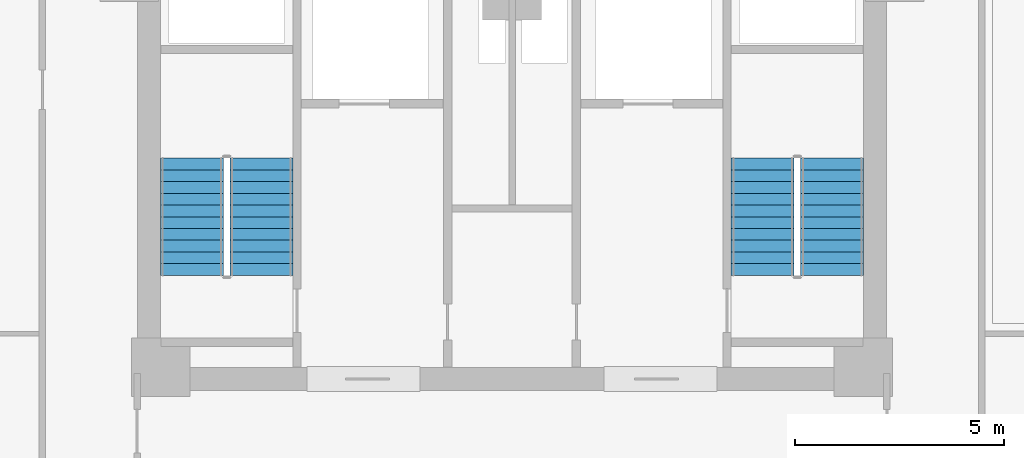
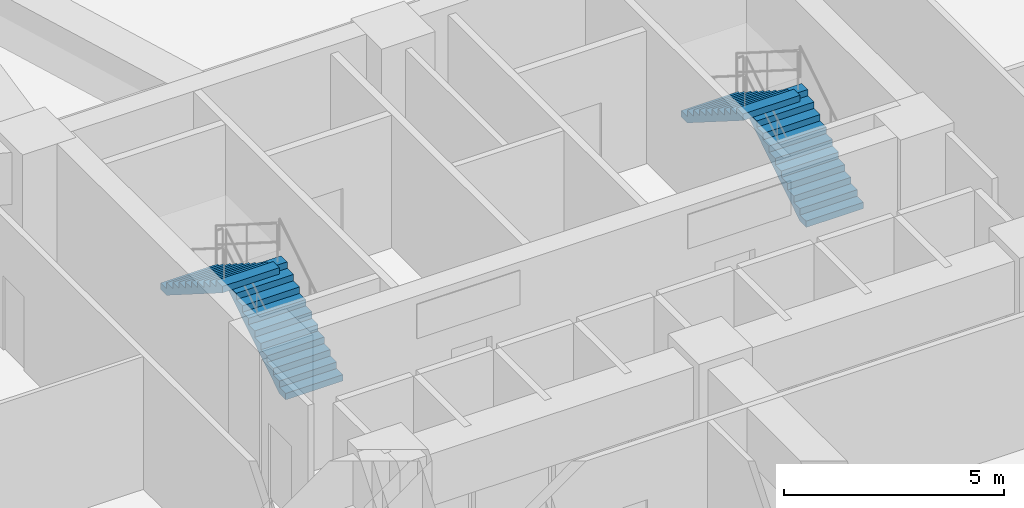
# One storey, part 17 of 20: 4 stair flights, 2 elements without a shape of their own.
"""IFC4 building model written with IfcOpenShell, lengths in metres."""

from ifc_helpers import new_model, si_unit, derived_unit, direction, frame, origin, place, context, subcontext, project, spatial, polyline, outline, extrude, material, type_object, element, aggregate, save


model = new_model("IFC4")

# Units and contexts
model_context = context("Model", 3, precision=1e-05, world=origin(), true_north=direction((0.0, 1.0)))
body_context = subcontext(model_context, "Body", "Model", "MODEL_VIEW")
ifc_project = project(units=[si_unit("LENGTHUNIT", "METRE"), si_unit("AREAUNIT", "SQUARE_METRE"), si_unit("VOLUMEUNIT", "CUBIC_METRE"), si_unit("PLANEANGLEUNIT", "RADIAN"), si_unit("MASSUNIT", "GRAM", prefix="KILO"), derived_unit("THERMALTRANSMITTANCEUNIT", [(si_unit("POWERUNIT", "WATT"), 1), (si_unit("LENGTHUNIT", "METRE"), -2), (si_unit("THERMODYNAMICTEMPERATUREUNIT", "KELVIN"), -1)])], contexts=[model_context])

# Site, building, storey
site_placement = place(None, origin())
site = spatial("IfcSite", under=ifc_project, at=site_placement, CompositionType="ELEMENT")
building_placement = place(site_placement, origin())
building = spatial("IfcBuilding", under=site, at=building_placement, Name="Korsvarv Bourse and Concert Hall", CompositionType="ELEMENT")
storey_placement = place(building_placement, frame((0.0, 0.0, 43.5)))
storey = spatial("IfcBuildingStorey", under=building, at=storey_placement, Name="L10", CompositionType="ELEMENT", Elevation=43.5)

# Stair, stair flights
ifc_material = material(Name="Precast concrete C45/55", Category="concrete")
stair_type = type_object("IfcStairType", Name="STR-TYPE-03", PredefinedType="HALF_TURN_STAIR", material=ifc_material)
stair_1_placement = place(storey_placement, origin())
stair_1 = element("IfcStair", 1, at=stair_1_placement, inside=storey, type_object=stair_type, Name="L10 Tower West Exit Stair ST-T1", PredefinedType="HALF_TURN_STAIR")
stair_flight_type = type_object("IfcStairFlightType", Name="FLT-TYPE-03", PredefinedType="STRAIGHT", material=ifc_material)
stair_flight_1_placement = place(storey_placement, frame((30.010009765625, 40.0, 0.0), z_axis=(0.0, 0.0, 1.0), x_axis=(0.0, 1.0, 0.0)))
stair_flight_1 = element("IfcStairFlight", 2, at=stair_flight_1_placement, type_object=stair_flight_type, Name="ST-T1 flight 1", NumberOfRisers=11, NumberOfTreads=10, PredefinedType="STRAIGHT", RiserHeight=0.177272727, TreadLength=0.28, context=body_context, shape_type="SweptSolid", body=[
    extrude(outline(polyline([(0.0, 0.0), (0.0, 0.17724609375), (0.280029296875, 0.17724609375), (0.280029296875, 0.3544921875), (0.56005859375, 0.3544921875), (0.56005859375, 0.53173828125), (0.840087890625, 0.53173828125), (0.840087890625, 0.708984375), (1.1201171875, 0.708984375), (1.1201171875, 0.886474609375), (1.39990234375, 0.886474609375), (1.39990234375, 1.063720703125), (1.679931640625, 1.063720703125), (1.679931640625, 1.240966796875), (1.9599609375, 1.240966796875), (1.9599609375, 1.418212890625), (2.239990234375, 1.418212890625), (2.239990234375, 1.595458984375), (2.52001953125, 1.595458984375), (2.52001953125, 1.772705078125), (2.800048828125, 1.772705078125), (2.800048828125, 1.949951171875), (2.800048828125, 1.59521484375), (0.2802734375, 0.0), (0.0, 0.0)])), frame((0.0, 0.75, 0.0), z_axis=(0.0, -1.0, 0.0), x_axis=(1.0, 0.0, 0.0)), (0.0, 0.0, 1.0), 1.5),
])
stair_flight_2_placement = place(storey_placement, frame((28.35009765625, 42.800048828125, 1.949951171875), z_axis=(0.0, 0.0, 1.0), x_axis=(0.0, -1.0, 0.0)))
stair_flight_2 = element("IfcStairFlight", 3, at=stair_flight_2_placement, type_object=stair_flight_type, Name="ST-T1 flight 2", NumberOfRisers=11, NumberOfTreads=10, PredefinedType="STRAIGHT", RiserHeight=0.177272727, TreadLength=0.28, context=body_context, shape_type="SweptSolid", body=[
    extrude(outline(polyline([(0.0, 0.0), (0.0, 0.17724609375), (0.280029296875, 0.17724609375), (0.280029296875, 0.3544921875), (0.56005859375, 0.3544921875), (0.56005859375, 0.53173828125), (0.840087890625, 0.53173828125), (0.840087890625, 0.708984375), (1.1201171875, 0.708984375), (1.1201171875, 0.886474609375), (1.39990234375, 0.886474609375), (1.39990234375, 1.063720703125), (1.679931640625, 1.063720703125), (1.679931640625, 1.240966796875), (1.9599609375, 1.240966796875), (1.9599609375, 1.418212890625), (2.239990234375, 1.418212890625), (2.239990234375, 1.595458984375), (2.52001953125, 1.595458984375), (2.52001953125, 1.772705078125), (2.800048828125, 1.772705078125), (2.800048828125, 1.949951171875), (2.800048828125, 1.59521484375), (0.2802734375, 0.0), (0.0, 0.0)])), frame((0.0, 0.75, 0.0), z_axis=(0.0, -1.0, 0.0), x_axis=(1.0, 0.0, 0.0)), (0.0, 0.0, 1.0), 1.5),
])
aggregate(stair_1, [stair_flight_1, stair_flight_2])

stair_2_placement = place(storey_placement, origin())
stair_2 = element("IfcStair", 4, at=stair_2_placement, inside=storey, type_object=stair_type, Name="L10 Tower East Exit Stair ST-T2", PredefinedType="HALF_TURN_STAIR")
stair_flight_3_placement = place(storey_placement, frame((43.64990234375, 40.0, 0.0), z_axis=(0.0, 0.0, 1.0), x_axis=(0.0, 1.0, 0.0)))
stair_flight_3 = element("IfcStairFlight", 5, at=stair_flight_3_placement, type_object=stair_flight_type, Name="ST-T2 flight 1", NumberOfRisers=11, NumberOfTreads=10, PredefinedType="STRAIGHT", RiserHeight=0.177272727, TreadLength=0.28, context=body_context, shape_type="SweptSolid", body=[
    extrude(outline(polyline([(0.0, 0.0), (0.0, 0.17724609375), (0.280029296875, 0.17724609375), (0.280029296875, 0.3544921875), (0.56005859375, 0.3544921875), (0.56005859375, 0.53173828125), (0.840087890625, 0.53173828125), (0.840087890625, 0.708984375), (1.1201171875, 0.708984375), (1.1201171875, 0.886474609375), (1.39990234375, 0.886474609375), (1.39990234375, 1.063720703125), (1.679931640625, 1.063720703125), (1.679931640625, 1.240966796875), (1.9599609375, 1.240966796875), (1.9599609375, 1.418212890625), (2.239990234375, 1.418212890625), (2.239990234375, 1.595458984375), (2.52001953125, 1.595458984375), (2.52001953125, 1.772705078125), (2.800048828125, 1.772705078125), (2.800048828125, 1.949951171875), (2.800048828125, 1.59521484375), (0.2802734375, 0.0), (0.0, 0.0)])), frame((0.0, 0.75, 0.0), z_axis=(0.0, -1.0, 0.0), x_axis=(1.0, 0.0, 0.0)), (0.0, 0.0, 1.0), 1.5),
])
stair_flight_4_placement = place(storey_placement, frame((41.989990234375, 42.800048828125, 1.949951171875), z_axis=(0.0, 0.0, 1.0), x_axis=(0.0, -1.0, 0.0)))
stair_flight_4 = element("IfcStairFlight", 6, at=stair_flight_4_placement, type_object=stair_flight_type, Name="ST-T2 flight 2", NumberOfRisers=11, NumberOfTreads=10, PredefinedType="STRAIGHT", RiserHeight=0.177272727, TreadLength=0.28, context=body_context, shape_type="SweptSolid", body=[
    extrude(outline(polyline([(0.0, 0.0), (0.0, 0.17724609375), (0.280029296875, 0.17724609375), (0.280029296875, 0.3544921875), (0.56005859375, 0.3544921875), (0.56005859375, 0.53173828125), (0.840087890625, 0.53173828125), (0.840087890625, 0.708984375), (1.1201171875, 0.708984375), (1.1201171875, 0.886474609375), (1.39990234375, 0.886474609375), (1.39990234375, 1.063720703125), (1.679931640625, 1.063720703125), (1.679931640625, 1.240966796875), (1.9599609375, 1.240966796875), (1.9599609375, 1.418212890625), (2.239990234375, 1.418212890625), (2.239990234375, 1.595458984375), (2.52001953125, 1.595458984375), (2.52001953125, 1.772705078125), (2.800048828125, 1.772705078125), (2.800048828125, 1.949951171875), (2.800048828125, 1.59521484375), (0.2802734375, 0.0), (0.0, 0.0)])), frame((0.0, 0.75, 0.0), z_axis=(0.0, -1.0, 0.0), x_axis=(1.0, 0.0, 0.0)), (0.0, 0.0, 1.0), 1.5),
])
aggregate(stair_2, [stair_flight_3, stair_flight_4])

save(model, "model.ifc")
